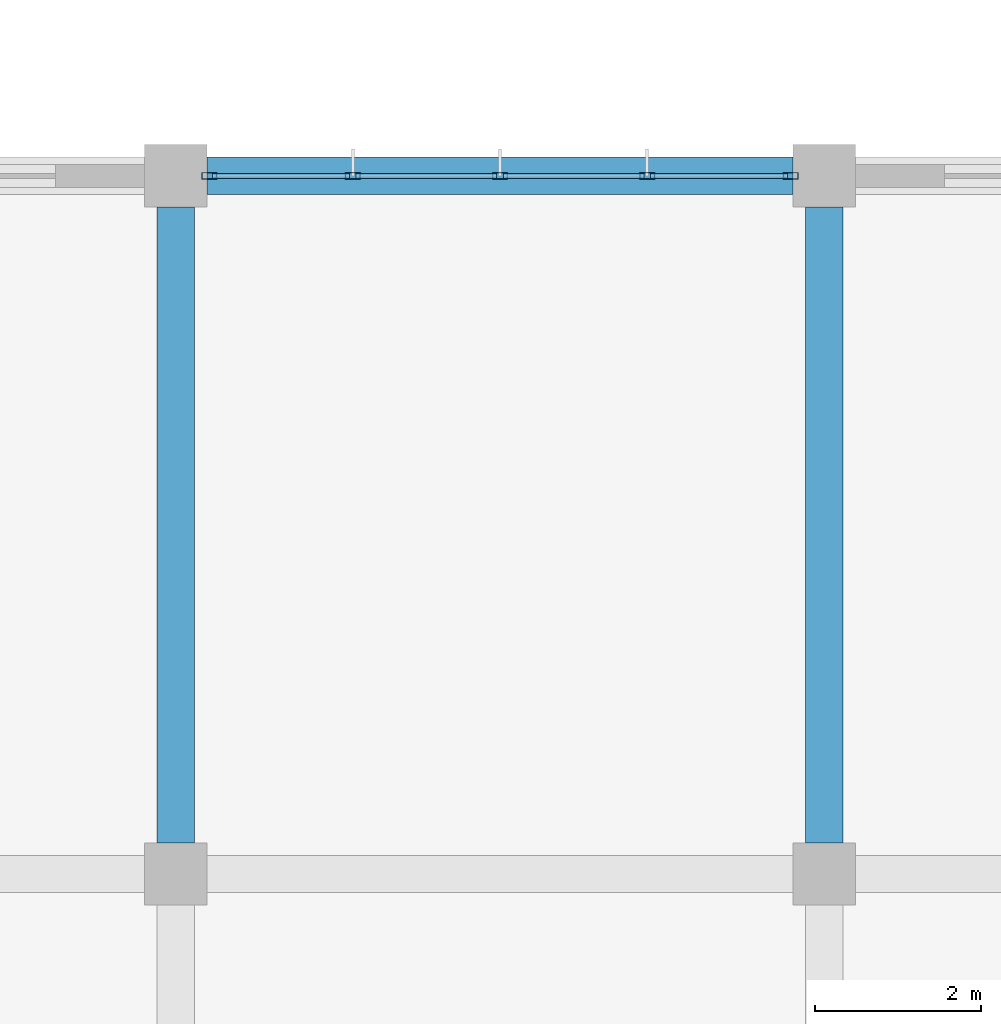
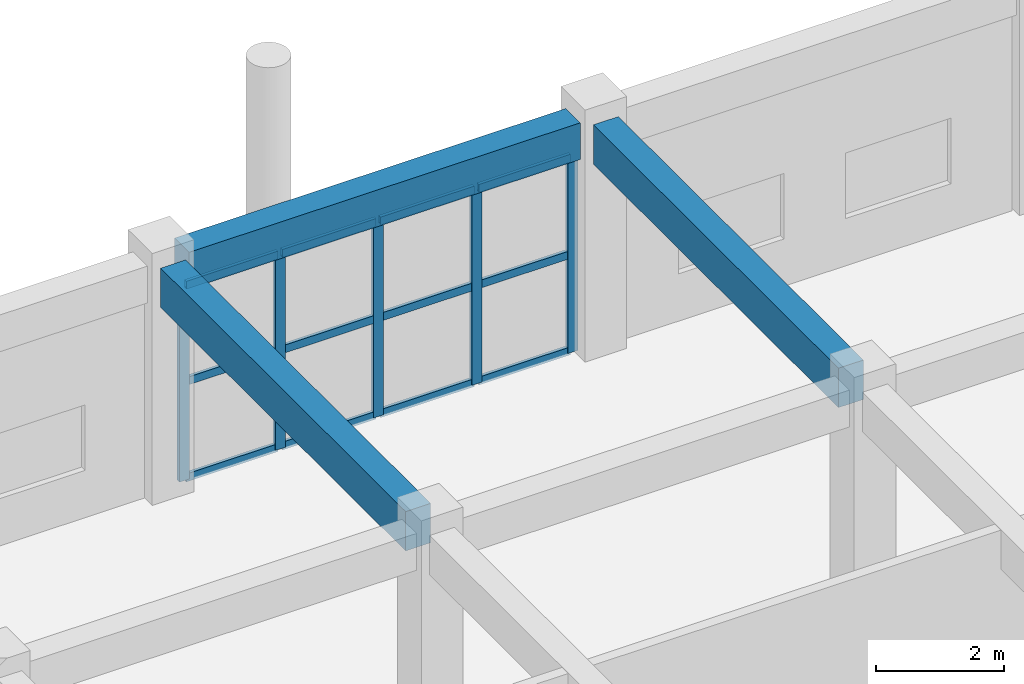
# One storey, part 123 of 167: 17 members, 3 beams, 1 element without a shape of its own.
"""IFC4 building model written with IfcOpenShell, lengths in metres."""

import ifcopenshell
import ifcopenshell.guid

model = None  # the IFC model being written
_history = None  # IfcOwnerHistory: only IFC2X3 demands one
_inside = {}  # id of a spatial element -> (the spatial element, [elements in it])
_under = {}  # id of a project, library or spatial element -> (it, [spatial elements below it])
_declared = {}  # id of a project -> (the project, [libraries it declares])
_typed = {}  # id of a type object -> (the type object, [elements of that type])
_made_of = {}  # id of a material, layer set ... -> (it, [elements and type objects made of it])


def new_model(schema):
    """Start an empty IFC model of exactly this schema.

    Asked for "IFC4X3", IfcOpenShell would pick the latest addendum, in which some entities
    have other attributes; the version numbers below select the first issue.
    IFC2X3 requires an IfcOwnerHistory on every rooted entity: one is made here for all.
    """
    global model, _history
    if schema == "IFC4X3":
        model = ifcopenshell.file(schema_version=(4, 3, 0, 0))
    else:
        model = ifcopenshell.file(schema=schema)
    _inside.clear()
    _under.clear()
    _declared.clear()
    _typed.clear()
    _made_of.clear()
    _history = None
    if model.schema == "IFC2X3":
        org = make("IfcOrganization", Name="unknown")
        user = make(
            "IfcPersonAndOrganization",
            ThePerson=make("IfcPerson", FamilyName="unknown"),
            TheOrganization=org,
        )
        app = make(
            "IfcApplication",
            ApplicationDeveloper=org,
            Version="unknown",
            ApplicationFullName="unknown",
            ApplicationIdentifier="unknown",
        )
        _history = make(
            "IfcOwnerHistory",
            OwningUser=user,
            OwningApplication=app,
            ChangeAction="ADDED",
            CreationDate=0,
        )
    return model


def make(cls, **values):
    """One entity of the class cls with the attributes given. An attribute that is None is left unset."""
    return model.create_entity(
        cls, **{name: value for name, value in values.items() if value is not None}
    )


def rooted(cls, **values):
    """An entity with a GlobalId (a new one), such as an element, a storey or a relation."""
    return make(cls, GlobalId=ifcopenshell.guid.new(), OwnerHistory=_history, **values)


def si_unit(unit_type, name, prefix=None):
    """IfcSIUnit, for example si_unit("LENGTHUNIT", "METRE", prefix="MILLI")."""
    return make("IfcSIUnit", UnitType=unit_type, Prefix=prefix, Name=name)


def assignment(units):
    """IfcUnitAssignment: the units of a project."""
    return None if units is None else make("IfcUnitAssignment", Units=units)


def point(xyz):
    """IfcCartesianPoint."""
    return None if xyz is None else make("IfcCartesianPoint", Coordinates=xyz)


def direction(xyz):
    """IfcDirection."""
    return None if xyz is None else make("IfcDirection", DirectionRatios=xyz)


def frame(location, z_axis=None, x_axis=None):
    """IfcAxis2Placement3D, a coordinate frame: its origin and axes. An axis left out is left unset."""
    return make(
        "IfcAxis2Placement3D",
        Location=point(location),
        Axis=direction(z_axis),
        RefDirection=direction(x_axis),
    )


def frame_2d(location, x_axis=None):
    """IfcAxis2Placement2D, a coordinate frame in the plane: its origin and x axis."""
    return make(
        "IfcAxis2Placement2D", Location=point(location), RefDirection=direction(x_axis)
    )


def origin():
    """The frame at (0, 0, 0) with its axes left unset."""
    return frame((0.0, 0.0, 0.0))


def origin_2d():
    """The frame at (0, 0) in the plane with its x axis left unset."""
    return frame_2d((0.0, 0.0))


def place(relative_to, where):
    """IfcLocalPlacement: puts the frame where relative to a parent placement (None: the world)."""
    return make(
        "IfcLocalPlacement", PlacementRelTo=relative_to, RelativePlacement=where
    )


def context(
    kind, dimensions, precision=None, world=None, true_north=None, identifier=None
):
    """IfcGeometricRepresentationContext, for example the 3D "Model" context."""
    return make(
        "IfcGeometricRepresentationContext",
        ContextIdentifier=identifier,
        ContextType=kind,
        CoordinateSpaceDimension=dimensions,
        Precision=precision,
        WorldCoordinateSystem=world,
        TrueNorth=true_north,
    )


def subcontext(parent, identifier, kind, view, scale=None):
    """IfcGeometricRepresentationSubContext, for example "Body" below "Model"."""
    return make(
        "IfcGeometricRepresentationSubContext",
        ContextIdentifier=identifier,
        ContextType=kind,
        ParentContext=parent,
        TargetScale=scale,
        TargetView=view,
    )


def project(units=None, contexts=None):
    """IfcProject with its units and contexts."""
    return rooted(
        "IfcProject",
        Name="project",
        RepresentationContexts=contexts,
        UnitsInContext=assignment(units),
    )


def spatial(cls, under=None, at=None, **own):
    """A site, building, storey or space (cls), placed at a placement, below another one or the project."""
    s = rooted(cls, ObjectPlacement=at, **own)
    if under is not None:
        _under.setdefault(under.id(), (under, []))[1].append(s)
    return s


def profile(cls, at=None, kind="AREA", **sizes):
    """A parametric profile (cls). Its sizes go by their IFC names, for example OverallWidth=200.0."""
    return make(cls, ProfileType=kind, Position=at, **sizes)


def rectangle(**sizes):
    """IfcRectangleProfileDef."""
    return profile("IfcRectangleProfileDef", **sizes)


def hollow_rectangle(**sizes):
    """IfcRectangleHollowProfileDef."""
    return profile("IfcRectangleHollowProfileDef", **sizes)


def extrude(swept, where, along, depth):
    """IfcExtrudedAreaSolid: the profile swept, set in the frame where, extruded along a direction by depth."""
    return make(
        "IfcExtrudedAreaSolid",
        SweptArea=swept,
        Position=where,
        ExtrudedDirection=direction(along),
        Depth=depth,
    )


def shape(context_of_items, identifier, shape_type, items):
    """IfcShapeRepresentation: the items that make up one representation, for example the "Body"."""
    return make(
        "IfcShapeRepresentation",
        ContextOfItems=context_of_items,
        RepresentationIdentifier=identifier,
        RepresentationType=shape_type,
        Items=items,
    )


def material(Name=None, Category=None):
    """IfcMaterial."""
    return make("IfcMaterial", Name=Name, Category=Category)


def layer(
    of_material, thickness, ventilated=None, Name=None, Category=None, Priority=None
):
    """IfcMaterialLayer: one layer of a wall or slab, of a material (None: an air gap)."""
    return make(
        "IfcMaterialLayer",
        Material=of_material,
        LayerThickness=thickness,
        IsVentilated=ventilated,
        Name=Name,
        Category=Category,
        Priority=Priority,
    )


def layer_set(layers, Name=None):
    """IfcMaterialLayerSet."""
    return make("IfcMaterialLayerSet", MaterialLayers=layers, LayerSetName=Name)


def material_profile(
    of_material, cross_section, Name=None, Category=None, Priority=None
):
    """IfcMaterialProfile: a cross section and its material."""
    return make(
        "IfcMaterialProfile",
        Name=Name,
        Material=of_material,
        Profile=cross_section,
        Priority=Priority,
        Category=Category,
    )


def profile_set(profiles, Name=None, composite=None):
    """IfcMaterialProfileSet."""
    return make(
        "IfcMaterialProfileSet",
        Name=Name,
        MaterialProfiles=profiles,
        CompositeProfile=composite,
    )


def made_of(thing, what):
    """Note that an element or type object is made of a material, layer set ...; save() writes the relation."""
    if what is not None:
        _made_of.setdefault(what.id(), (what, []))[1].append(thing)
    return thing


def type_object(cls, material=None, **own):
    """A type object (cls), such as IfcWallType, which elements share."""
    return made_of(rooted(cls, **own), material)


def element(
    cls,
    number,
    at=None,
    inside=None,
    cuts=None,
    type_object=None,
    material=None,
    context=None,
    identifier="Body",
    shape_type=None,
    held_by="IfcProductDefinitionShape",
    body=None,
    shapes=None,
    **own,
):
    """One element of the class cls, such as IfcWall. Its Tag is "e" and its number.

    at: its placement. inside: the storey or other place that contains it. cuts: it is an
    opening in that element (IfcRelVoidsElement). A single representation is given by context,
    identifier, shape_type and body (its items); several are given by shapes. held_by: the class
    of the entity that holds the representations. save() writes the other relations.
    """
    e = rooted(cls, Tag="e%d" % number, ObjectPlacement=at, **own)
    if body is not None:
        shapes = [shape(context, identifier, shape_type, body)]
    if shapes is not None:
        e.Representation = make(held_by, Representations=shapes)
    if inside is not None:
        _inside.setdefault(inside.id(), (inside, []))[1].append(e)
    if cuts is not None:
        rooted(
            "IfcRelVoidsElement", RelatingBuildingElement=cuts, RelatedOpeningElement=e
        )
    if type_object is not None:
        _typed.setdefault(type_object.id(), (type_object, []))[1].append(e)
    return made_of(e, material)


def aggregate(whole, parts):
    """IfcRelAggregates: a whole, such as a stair, and the parts it consists of."""
    return rooted("IfcRelAggregates", RelatingObject=whole, RelatedObjects=parts)


def save(model, path):
    """Write the relations noted so far, then the file.

    IfcRelAggregates (storeys below a building ...), IfcRelContainedInSpatialStructure (elements
    in a storey), IfcRelDefinesByType, IfcRelAssociatesMaterial and IfcRelDeclares: one each for
    every whole, place, type object, material and project.
    """
    for whole, parts in _under.values():
        aggregate(whole, parts)
    for where, things in _inside.values():
        rooted(
            "IfcRelContainedInSpatialStructure",
            RelatedElements=things,
            RelatingStructure=where,
        )
    for kind, things in _typed.values():
        rooted("IfcRelDefinesByType", RelatedObjects=things, RelatingType=kind)
    for what, things in _made_of.values():
        rooted("IfcRelAssociatesMaterial", RelatedObjects=things, RelatingMaterial=what)
    for by, libraries in _declared.values():
        rooted("IfcRelDeclares", RelatingContext=by, RelatedDefinitions=libraries)
    model.write(path)


model = new_model("IFC4")

# Units and contexts
model_context = context("Model", 3, precision=1e-05, world=origin(), true_north=direction((0.0, 1.0)))
body_context = subcontext(model_context, "Body", "Model", "MODEL_VIEW")
ifc_project = project(units=[si_unit("LENGTHUNIT", "METRE"), si_unit("AREAUNIT", "SQUARE_METRE"), si_unit("VOLUMEUNIT", "CUBIC_METRE"), si_unit("PLANEANGLEUNIT", "RADIAN"), si_unit("MASSUNIT", "GRAM", prefix="KILO")], contexts=[model_context])

# Site, building, storey
site_placement = place(None, origin())
site = spatial("IfcSite", under=ifc_project, at=site_placement, CompositionType="ELEMENT")
building_placement = place(site_placement, origin())
building = spatial("IfcBuilding", under=site, at=building_placement, Name="Zizhar Promenade General Hospital", CompositionType="ELEMENT")
storey_placement = place(building_placement, frame((0.0, 0.0, 9.60009765625)))
storey = spatial("IfcBuildingStorey", under=building, at=storey_placement, Name="L02", CompositionType="ELEMENT", Elevation=9.60009765625)

# Beams
ifc_material_1 = material(Name="Concrete C35/45", Category="concrete")
ifc_material_profile_1 = material_profile(ifc_material_1, rectangle(XDim=0.449951171875, YDim=0.699951171875, at=origin_2d()))
ifc_profile_set_1 = profile_set([ifc_material_profile_1], Name="Concrete C35/45")
beam_type_1 = type_object("IfcBeamType", Name="BM-RC-450x700", PredefinedType="BEAM", material=ifc_profile_set_1)
beam_placement = place(storey_placement, frame((117.375, 134.39990234375, 4.119873046875), z_axis=(1.0, 0.0, 0.0), x_axis=(0.0, 1.0, 0.0)))
element("IfcBeam", 1, at=beam_placement, inside=storey, type_object=beam_type_1, Name="Grid Beam X L02 (15-16)", PredefinedType="BEAM", context=body_context, shape_type="SweptSolid", body=[
    extrude(rectangle(XDim=0.449951171875, YDim=0.699951171875, at=origin_2d()), origin(), (0.0, 0.0, 1.0), 7.050048828125),
])
ifc_material_2 = material(Name="Concrete C35/45", Category="concrete")
ifc_material_profile_2 = material_profile(ifc_material_2, rectangle(XDim=0.449951171875, YDim=0.75, at=origin_2d()))
ifc_profile_set_2 = profile_set([ifc_material_profile_2], Name="Concrete C35/45")
beam_type_2 = type_object("IfcBeamType", Name="BM-RC-450x750", PredefinedType="BEAM", material=ifc_profile_set_2)
for number, where, z_axis, x_axis, name in (
    (2, (117.0, 126.375, 4.094970703125), (0.0, 1.0, 0.0), (-1.0, 0.0, 0.0), "Grid Beam Y L02 (15-15)"),
    (3, (124.800048828125, 126.375, 4.094970703125), (0.0, 1.0, 0.0), (-1.0, 0.0, 0.0), "Grid Beam Y L02 (16-15)"),
):
    element("IfcBeam", number, at=place(storey_placement, frame(where, z_axis=z_axis, x_axis=x_axis)), inside=storey, type_object=beam_type_2, Name=name, PredefinedType="BEAM", context=body_context, shape_type="SweptSolid", body=[
        extrude(rectangle(XDim=0.449951171875, YDim=0.75, at=origin_2d()), origin(), (0.0, 0.0, 1.0), 7.64990234375),
    ])

# Curtain wall, members
ifc_material_3 = material(Name="Anodised aluminium 6063-T6 and low-E glass", Category="aluminium")
ifc_layer = layer(ifc_material_3, 0.159912109375)
ifc_layer_set = layer_set([ifc_layer], Name="Anodised aluminium 6063-T6 and low-E glass")
curtain_wall_type = type_object("IfcCurtainWallType", Name="CW-DT-MOD2", PredefinedType="NOTDEFINED", material=ifc_layer_set)
curtain_wall_placement = place(storey_placement, origin())
curtain_wall = element("IfcCurtainWall", 4, at=curtain_wall_placement, inside=storey, type_object=curtain_wall_type, Name="Surgical North Glazed Curtain Wall L02-15", PredefinedType="NOTDEFINED")
ifc_material_4 = material(Name="Anodised aluminium 6063-T6", Category="aluminium")
ifc_material_profile_3 = material_profile(ifc_material_4, hollow_rectangle(XDim=0.080078125, YDim=0.179931640625, WallThickness=0.0048828125, at=origin_2d()))
ifc_profile_set_3 = profile_set([ifc_material_profile_3], Name="Anodised aluminium 6063-T6")
member_type_1 = type_object("IfcMemberType", Name="CWM-ALU-180x80", PredefinedType="MULLION", material=ifc_profile_set_3)
member_1_placement = place(storey_placement, frame((117.39990234375, 134.39990234375, 0.0), z_axis=(0.0, 0.0, 1.0), x_axis=(0.0, 1.0, 0.0)))
member_1 = element("IfcMember", 5, at=member_1_placement, type_object=member_type_1, Name="CW-08 mullion 1", PredefinedType="MULLION", context=body_context, shape_type="SweptSolid", body=[
    extrude(hollow_rectangle(XDim=0.080078125, YDim=0.179931640625, WallThickness=0.0048828125, at=origin_2d()), origin(), (0.0, 0.0, 1.0), 3.72998046875),
])
member_2_placement = place(storey_placement, frame((119.1298828125, 134.39990234375, 0.0), z_axis=(0.0, 0.0, 1.0), x_axis=(0.0, 1.0, 0.0)))
member_2 = element("IfcMember", 6, at=member_2_placement, type_object=member_type_1, Name="CW-08 mullion 2", PredefinedType="MULLION", context=body_context, shape_type="SweptSolid", body=[
    extrude(hollow_rectangle(XDim=0.080078125, YDim=0.179931640625, WallThickness=0.0048828125, at=origin_2d()), origin(), (0.0, 0.0, 1.0), 3.72998046875),
])
member_3_placement = place(storey_placement, frame((120.89990234375, 134.39990234375, 0.0), z_axis=(0.0, 0.0, 1.0), x_axis=(0.0, 1.0, 0.0)))
member_3 = element("IfcMember", 7, at=member_3_placement, type_object=member_type_1, Name="CW-08 mullion 3", PredefinedType="MULLION", context=body_context, shape_type="SweptSolid", body=[
    extrude(hollow_rectangle(XDim=0.080078125, YDim=0.179931640625, WallThickness=0.0048828125, at=origin_2d()), origin(), (0.0, 0.0, 1.0), 3.72998046875),
])
member_4_placement = place(storey_placement, frame((122.669921875, 134.39990234375, 0.0), z_axis=(0.0, 0.0, 1.0), x_axis=(0.0, 1.0, 0.0)))
member_4 = element("IfcMember", 8, at=member_4_placement, type_object=member_type_1, Name="CW-08 mullion 4", PredefinedType="MULLION", context=body_context, shape_type="SweptSolid", body=[
    extrude(hollow_rectangle(XDim=0.080078125, YDim=0.179931640625, WallThickness=0.0048828125, at=origin_2d()), origin(), (0.0, 0.0, 1.0), 3.72998046875),
])
member_5_placement = place(storey_placement, frame((124.39990234375, 134.39990234375, 0.0), z_axis=(0.0, 0.0, 1.0), x_axis=(0.0, 1.0, 0.0)))
member_5 = element("IfcMember", 9, at=member_5_placement, type_object=member_type_1, Name="CW-08 mullion 5", PredefinedType="MULLION", context=body_context, shape_type="SweptSolid", body=[
    extrude(hollow_rectangle(XDim=0.080078125, YDim=0.179931640625, WallThickness=0.0048828125, at=origin_2d()), origin(), (0.0, 0.0, 1.0), 3.72998046875),
])
ifc_material_5 = material(Name="Anodised aluminium 6063-T6", Category="aluminium")
ifc_material_profile_4 = material_profile(ifc_material_5, hollow_rectangle(XDim=0.06005859375, YDim=0.14990234375, WallThickness=0.00390625, at=origin_2d()))
ifc_profile_set_4 = profile_set([ifc_material_profile_4], Name="Anodised aluminium 6063-T6")
member_type_2 = type_object("IfcMemberType", Name="CWT-ALU-150x60", PredefinedType="USERDEFINED", material=ifc_profile_set_4)
member_6_placement = place(storey_placement, frame((117.43994140625, 134.39990234375, 0.02978515625), z_axis=(1.0, 0.0, 0.0), x_axis=(0.0, 1.0, 0.0)))
member_6 = element("IfcMember", 10, at=member_6_placement, type_object=member_type_2, Name="CW-08 transom 1.1", ObjectType="TRANSOM", PredefinedType="USERDEFINED", context=body_context, shape_type="SweptSolid", body=[
    extrude(hollow_rectangle(XDim=0.06005859375, YDim=0.14990234375, WallThickness=0.00390625, at=origin_2d()), origin(), (0.0, 0.0, 1.0), 1.650146484375),
])
member_7_placement = place(storey_placement, frame((117.43994140625, 134.39990234375, 1.864990234375), z_axis=(1.0, 0.0, 0.0), x_axis=(0.0, 1.0, 0.0)))
member_7 = element("IfcMember", 11, at=member_7_placement, type_object=member_type_2, Name="CW-08 transom 1.2", ObjectType="TRANSOM", PredefinedType="USERDEFINED", context=body_context, shape_type="SweptSolid", body=[
    extrude(hollow_rectangle(XDim=0.06005859375, YDim=0.14990234375, WallThickness=0.00390625, at=origin_2d()), origin(), (0.0, 0.0, 1.0), 1.650146484375),
])
member_8_placement = place(storey_placement, frame((117.43994140625, 134.39990234375, 3.699951171875), z_axis=(1.0, 0.0, 0.0), x_axis=(0.0, 1.0, 0.0)))
member_8 = element("IfcMember", 12, at=member_8_placement, type_object=member_type_2, Name="CW-08 transom 1.3", ObjectType="TRANSOM", PredefinedType="USERDEFINED", context=body_context, shape_type="SweptSolid", body=[
    extrude(hollow_rectangle(XDim=0.06005859375, YDim=0.14990234375, WallThickness=0.00390625, at=origin_2d()), origin(), (0.0, 0.0, 1.0), 1.650146484375),
])
member_9_placement = place(storey_placement, frame((119.169921875, 134.39990234375, 0.02978515625), z_axis=(1.0, 0.0, 0.0), x_axis=(0.0, 1.0, 0.0)))
member_9 = element("IfcMember", 13, at=member_9_placement, type_object=member_type_2, Name="CW-08 transom 2.1", ObjectType="TRANSOM", PredefinedType="USERDEFINED", context=body_context, shape_type="SweptSolid", body=[
    extrude(hollow_rectangle(XDim=0.06005859375, YDim=0.14990234375, WallThickness=0.00390625, at=origin_2d()), origin(), (0.0, 0.0, 1.0), 1.690185546875),
])
member_10_placement = place(storey_placement, frame((119.169921875, 134.39990234375, 1.864990234375), z_axis=(1.0, 0.0, 0.0), x_axis=(0.0, 1.0, 0.0)))
member_10 = element("IfcMember", 14, at=member_10_placement, type_object=member_type_2, Name="CW-08 transom 2.2", ObjectType="TRANSOM", PredefinedType="USERDEFINED", context=body_context, shape_type="SweptSolid", body=[
    extrude(hollow_rectangle(XDim=0.06005859375, YDim=0.14990234375, WallThickness=0.00390625, at=origin_2d()), origin(), (0.0, 0.0, 1.0), 1.690185546875),
])
member_11_placement = place(storey_placement, frame((119.169921875, 134.39990234375, 3.699951171875), z_axis=(1.0, 0.0, 0.0), x_axis=(0.0, 1.0, 0.0)))
member_11 = element("IfcMember", 15, at=member_11_placement, type_object=member_type_2, Name="CW-08 transom 2.3", ObjectType="TRANSOM", PredefinedType="USERDEFINED", context=body_context, shape_type="SweptSolid", body=[
    extrude(hollow_rectangle(XDim=0.06005859375, YDim=0.14990234375, WallThickness=0.00390625, at=origin_2d()), origin(), (0.0, 0.0, 1.0), 1.690185546875),
])
member_12_placement = place(storey_placement, frame((120.93994140625, 134.39990234375, 0.02978515625), z_axis=(1.0, 0.0, 0.0), x_axis=(0.0, 1.0, 0.0)))
member_12 = element("IfcMember", 16, at=member_12_placement, type_object=member_type_2, Name="CW-08 transom 3.1", ObjectType="TRANSOM", PredefinedType="USERDEFINED", context=body_context, shape_type="SweptSolid", body=[
    extrude(hollow_rectangle(XDim=0.06005859375, YDim=0.14990234375, WallThickness=0.00390625, at=origin_2d()), origin(), (0.0, 0.0, 1.0), 1.68994140625),
])
member_13_placement = place(storey_placement, frame((120.93994140625, 134.39990234375, 1.864990234375), z_axis=(1.0, 0.0, 0.0), x_axis=(0.0, 1.0, 0.0)))
member_13 = element("IfcMember", 17, at=member_13_placement, type_object=member_type_2, Name="CW-08 transom 3.2", ObjectType="TRANSOM", PredefinedType="USERDEFINED", context=body_context, shape_type="SweptSolid", body=[
    extrude(hollow_rectangle(XDim=0.06005859375, YDim=0.14990234375, WallThickness=0.00390625, at=origin_2d()), origin(), (0.0, 0.0, 1.0), 1.68994140625),
])
member_14_placement = place(storey_placement, frame((120.93994140625, 134.39990234375, 3.699951171875), z_axis=(1.0, 0.0, 0.0), x_axis=(0.0, 1.0, 0.0)))
member_14 = element("IfcMember", 18, at=member_14_placement, type_object=member_type_2, Name="CW-08 transom 3.3", ObjectType="TRANSOM", PredefinedType="USERDEFINED", context=body_context, shape_type="SweptSolid", body=[
    extrude(hollow_rectangle(XDim=0.06005859375, YDim=0.14990234375, WallThickness=0.00390625, at=origin_2d()), origin(), (0.0, 0.0, 1.0), 1.68994140625),
])
member_15_placement = place(storey_placement, frame((122.7099609375, 134.39990234375, 0.02978515625), z_axis=(1.0, 0.0, 0.0), x_axis=(0.0, 1.0, 0.0)))
member_15 = element("IfcMember", 19, at=member_15_placement, type_object=member_type_2, Name="CW-08 transom 4.1", ObjectType="TRANSOM", PredefinedType="USERDEFINED", context=body_context, shape_type="SweptSolid", body=[
    extrude(hollow_rectangle(XDim=0.06005859375, YDim=0.14990234375, WallThickness=0.00390625, at=origin_2d()), origin(), (0.0, 0.0, 1.0), 1.650146484375),
])
member_16_placement = place(storey_placement, frame((122.7099609375, 134.39990234375, 1.864990234375), z_axis=(1.0, 0.0, 0.0), x_axis=(0.0, 1.0, 0.0)))
member_16 = element("IfcMember", 20, at=member_16_placement, type_object=member_type_2, Name="CW-08 transom 4.2", ObjectType="TRANSOM", PredefinedType="USERDEFINED", context=body_context, shape_type="SweptSolid", body=[
    extrude(hollow_rectangle(XDim=0.06005859375, YDim=0.14990234375, WallThickness=0.00390625, at=origin_2d()), origin(), (0.0, 0.0, 1.0), 1.650146484375),
])
member_17_placement = place(storey_placement, frame((122.7099609375, 134.39990234375, 3.699951171875), z_axis=(1.0, 0.0, 0.0), x_axis=(0.0, 1.0, 0.0)))
member_17 = element("IfcMember", 21, at=member_17_placement, type_object=member_type_2, Name="CW-08 transom 4.3", ObjectType="TRANSOM", PredefinedType="USERDEFINED", context=body_context, shape_type="SweptSolid", body=[
    extrude(hollow_rectangle(XDim=0.06005859375, YDim=0.14990234375, WallThickness=0.00390625, at=origin_2d()), origin(), (0.0, 0.0, 1.0), 1.650146484375),
])
aggregate(curtain_wall, [member_1, member_2, member_3, member_4, member_5, member_6, member_7, member_8, member_9, member_10, member_11, member_12, member_13, member_14, member_15, member_16, member_17])

save(model, "model.ifc")
